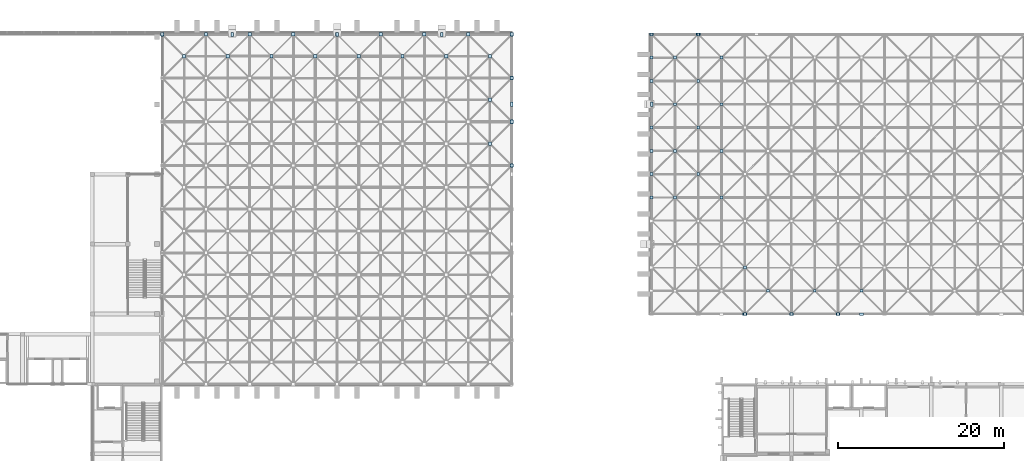
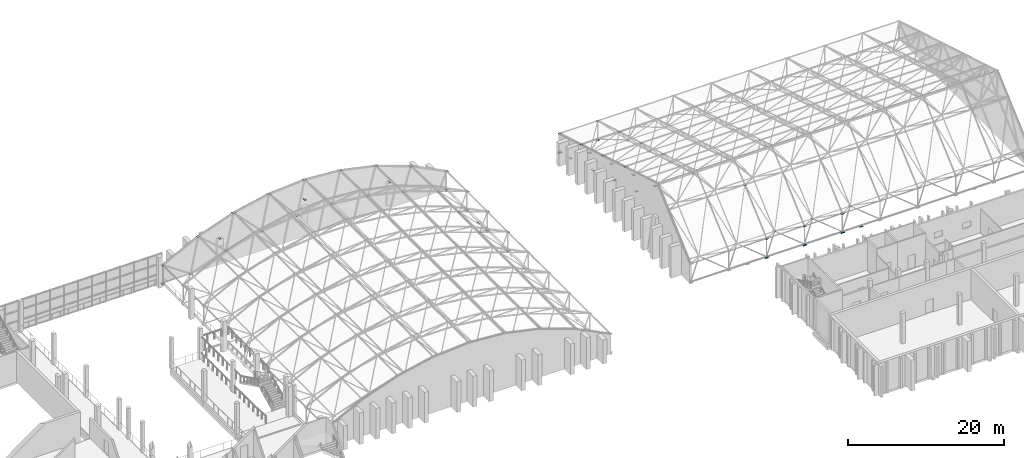
# One storey, part 58 of 100: 74 plates.
"""IFC4 building model written with IfcOpenShell, lengths in metres."""

from ifc_helpers import new_model, si_unit, direction, frame, origin, origin_2d, place, context, subcontext, project, spatial, rectangle, extrude, material, layer, layer_set, type_object, element, save


model = new_model("IFC4")

# Units and contexts
model_context = context("Model", 3, precision=1e-05, world=origin(), true_north=direction((0.0, 1.0)))
body_context = subcontext(model_context, "Body", "Model", "MODEL_VIEW")
ifc_project = project(units=[si_unit("LENGTHUNIT", "METRE"), si_unit("AREAUNIT", "SQUARE_METRE"), si_unit("VOLUMEUNIT", "CUBIC_METRE"), si_unit("PLANEANGLEUNIT", "RADIAN"), si_unit("MASSUNIT", "GRAM", prefix="KILO")], contexts=[model_context])

# Site, building, storey
site_placement = place(None, origin())
site = spatial("IfcSite", under=ifc_project, at=site_placement, CompositionType="ELEMENT")
building_placement = place(site_placement, origin())
building = spatial("IfcBuilding", under=site, at=building_placement, Name="Kiln Court Media Centre", CompositionType="ELEMENT")
storey_placement = place(building_placement, frame((0.0, 0.0, 15.0)))
storey = spatial("IfcBuildingStorey", under=building, at=storey_placement, Name="L03", CompositionType="ELEMENT", Elevation=15.0)

# Plates
ifc_material_1 = material(Name="Steel ASTM A572 Gr 50", Category="steel")
ifc_layer_1 = layer(ifc_material_1, 0.030029296875)
ifc_layer_set_1 = layer_set([ifc_layer_1], Name="Steel ASTM A572 Gr 50 300x500x30 bearing plate")
plate_type_1 = type_object("IfcPlateType", Name="Steel ASTM A572 Gr 50 300x500x30 bearing plate", PredefinedType="USERDEFINED", material=ifc_layer_set_1)
for number, where, z_axis, x_axis, name in (
    (1, (58.800048828125, 67.199951171875, -0.001953125), (0.0, 0.0, 1.0), (1.0, 0.0, 0.0), "V1 roof bearing plate at node 58.8 67.2 bearing plate"),
    (2, (100.800048828125, 51.449951171875, -0.001953125), (0.0, 0.0, 1.0), (1.0, 0.0, 0.0), "V1 roof bearing plate at node 100.8 51.5 bearing plate"),
    (3, (100.800048828125, 56.699951171875, -0.001953125), (0.0, 0.0, 1.0), (1.0, 0.0, 0.0), "V1 roof bearing plate at node 100.8 56.7 bearing plate"),
    (4, (100.800048828125, 61.949951171875, -0.001953125), (0.0, 0.0, 1.0), (1.0, 0.0, 0.0), "V1 roof bearing plate at node 100.8 62.0 bearing plate"),
    (5, (100.800048828125, 67.199951171875, -0.001953125), (0.0, 0.0, 1.0), (1.0, 0.0, 0.0), "V1 roof bearing plate at node 100.8 67.2 bearing plate"),
    (6, (100.800048828125, 58.800048828125, -0.001953125), (0.0, 0.0, 1.0), (1.0, 0.0, 0.0), "V1 roof bearing plate at RC-V1-4 bearing plate"),
    (7, (67.199951171875, 67.199951171875, 4.25146484375), (0.0, 0.0, 1.0), (1.0, 0.0, 0.0), "V1 roof bearing plate at RC-V1-5 bearing plate"),
    (8, (79.800048828125, 67.199951171875, 5.92431640625), (0.0, 0.0, 1.0), (1.0, 0.0, 0.0), "V1 roof bearing plate at RC-V1-6 bearing plate"),
    (9, (92.39990234375, 67.199951171875, 4.25146484375), (0.0, 0.0, 1.0), (1.0, 0.0, 0.0), "V1 roof bearing plate at RC-V1-7 bearing plate"),
    (10, (117.60009765625, 58.800048828125, 2.3681640625), (0.0, 0.0, 1.0), (1.0, 0.0, 0.0), "V2 roof bearing plate at RC-V2-7 bearing plate"),
):
    element("IfcPlate", number, at=place(storey_placement, frame(where, z_axis=z_axis, x_axis=x_axis)), inside=storey, type_object=plate_type_1, Name=name, ObjectType="BEARING PLATE", PredefinedType="USERDEFINED", context=body_context, shape_type="SweptSolid", body=[
        extrude(rectangle(XDim=0.300048828125, YDim=0.5, at=origin_2d()), origin(), (0.0, 0.0, 1.0), 0.030029296875),
    ])
ifc_material_2 = material(Name="Steel ASTM A572 Gr 50", Category="steel")
ifc_layer_2 = layer(ifc_material_2, 0.010009765625)
ifc_layer_set_2 = layer_set([ifc_layer_2], Name="Steel ASTM A572 Gr 50 350x350x10 connection plate V2")
plate_type_2 = type_object("IfcPlateType", Name="Steel ASTM A572 Gr 50 350x350x10 connection plate V2", PredefinedType="USERDEFINED", material=ifc_layer_set_2)
for number, where, z_axis, x_axis, name in (
    (11, (117.60009765625, 47.60009765625, 5.8232421875), (0.0, 0.0, 1.0), (1.0, 0.0, 0.0), "V2 node connection plate"),
    (12, (117.60009765625, 50.39990234375, 7.9951171875), (0.0, 0.0, 1.0), (1.0, 0.0, 0.0), "V2 node connection plate"),
    (13, (117.60009765625, 53.199951171875, 4.15625), (0.0, 0.0, 1.0), (1.0, 0.0, 0.0), "V2 node connection plate"),
    (14, (117.60009765625, 56.0, 6.328125), (0.0, 0.0, 1.0), (1.0, 0.0, 0.0), "V2 node connection plate"),
    (15, (117.60009765625, 61.60009765625, 4.66162109375), (0.0, 0.0, 1.0), (1.0, 0.0, 0.0), "V2 node connection plate"),
    (16, (117.60009765625, 64.39990234375, 0.8232421875), (0.0, 0.0, 1.0), (1.0, 0.0, 0.0), "V2 node connection plate"),
    (17, (117.60009765625, 67.199951171875, 0.15966796875), (0.0, 0.0, 1.0), (1.0, 0.0, 0.0), "V2 node connection plate"),
    (18, (117.60009765625, 67.199951171875, 2.9951171875), (0.0, 0.0, 1.0), (1.0, 0.0, 0.0), "V2 node connection plate"),
    (19, (120.39990234375, 47.60009765625, 5.6982421875), (0.0, 0.0, 1.0), (1.0, 0.0, 0.0), "V2 node connection plate"),
    (20, (120.39990234375, 53.199951171875, 4.03173828125), (0.0, 0.0, 1.0), (1.0, 0.0, 0.0), "V2 node connection plate"),
    (21, (120.39990234375, 58.800048828125, 2.365234375), (0.0, 0.0, 1.0), (1.0, 0.0, 0.0), "V2 node connection plate"),
    (22, (120.39990234375, 64.39990234375, 0.6982421875), (0.0, 0.0, 1.0), (1.0, 0.0, 0.0), "V2 node connection plate"),
    (23, (123.199951171875, 50.39990234375, 7.9951171875), (0.0, 0.0, 1.0), (1.0, 0.0, 0.0), "V2 node connection plate"),
    (24, (123.199951171875, 56.0, 6.328125), (0.0, 0.0, 1.0), (1.0, 0.0, 0.0), "V2 node connection plate"),
    (25, (123.199951171875, 61.60009765625, 4.66162109375), (0.0, 0.0, 1.0), (1.0, 0.0, 0.0), "V2 node connection plate"),
    (26, (123.199951171875, 67.199951171875, 0.15966796875), (0.0, 0.0, 1.0), (1.0, 0.0, 0.0), "V2 node connection plate"),
    (27, (123.199951171875, 67.199951171875, 2.9951171875), (0.0, 0.0, 1.0), (1.0, 0.0, 0.0), "V2 node connection plate"),
    (28, (126.0, 47.60009765625, 5.6982421875), (0.0, 0.0, 1.0), (1.0, 0.0, 0.0), "V2 node connection plate"),
    (29, (126.0, 53.199951171875, 4.03173828125), (0.0, 0.0, 1.0), (1.0, 0.0, 0.0), "V2 node connection plate"),
    (30, (126.0, 58.800048828125, 2.365234375), (0.0, 0.0, 1.0), (1.0, 0.0, 0.0), "V2 node connection plate"),
    (31, (126.0, 64.39990234375, 0.6982421875), (0.0, 0.0, 1.0), (1.0, 0.0, 0.0), "V2 node connection plate"),
    (32, (128.800048828125, 33.60009765625, 0.15966796875), (0.0, 0.0, 1.0), (1.0, 0.0, 0.0), "V2 node connection plate"),
    (33, (128.800048828125, 33.60009765625, 2.9951171875), (0.0, 0.0, 1.0), (1.0, 0.0, 0.0), "V2 node connection plate"),
    (34, (128.800048828125, 39.199951171875, 7.9951171875), (0.0, 0.0, 1.0), (1.0, 0.0, 0.0), "V2 node connection plate"),
    (35, (131.60009765625, 36.39990234375, 1.47314453125), (0.0, 0.0, 1.0), (1.0, 0.0, 0.0), "V2 node connection plate"),
    (36, (134.39990234375, 33.60009765625, 0.15966796875), (0.0, 0.0, 1.0), (1.0, 0.0, 0.0), "V2 node connection plate"),
    (37, (134.39990234375, 33.60009765625, 2.9951171875), (0.0, 0.0, 1.0), (1.0, 0.0, 0.0), "V2 node connection plate"),
    (38, (137.199951171875, 36.39990234375, 1.47314453125), (0.0, 0.0, 1.0), (1.0, 0.0, 0.0), "V2 node connection plate"),
    (39, (140.0, 33.60009765625, 0.15966796875), (0.0, 0.0, 1.0), (1.0, 0.0, 0.0), "V2 node connection plate"),
    (40, (140.0, 33.60009765625, 2.9951171875), (0.0, 0.0, 1.0), (1.0, 0.0, 0.0), "V2 node connection plate"),
    (41, (142.800048828125, 36.39990234375, 1.47314453125), (0.0, 0.0, 1.0), (1.0, 0.0, 0.0), "V2 node connection plate"),
):
    element("IfcPlate", number, at=place(storey_placement, frame(where, z_axis=z_axis, x_axis=x_axis)), inside=storey, type_object=plate_type_2, Name=name, ObjectType="CONNECTION PLATE", PredefinedType="USERDEFINED", context=body_context, shape_type="SweptSolid", body=[
        extrude(rectangle(XDim=0.35009765625, YDim=0.35009765625, at=origin_2d()), origin(), (0.0, 0.0, 1.0), 0.010009765625),
    ])
ifc_material_3 = material(Name="Steel ASTM A572 Gr 50", Category="steel")
ifc_layer_3 = layer(ifc_material_3, 0.011962890625)
ifc_layer_set_3 = layer_set([ifc_layer_3], Name="Steel ASTM A572 Gr 50 400x400x12 connection plate V1")
plate_type_3 = type_object("IfcPlateType", Name="Steel ASTM A572 Gr 50 400x400x12 connection plate V1", PredefinedType="USERDEFINED", material=ifc_layer_set_3)
for number, where, z_axis, x_axis, name in (
    (42, (58.800048828125, 67.199951171875, 0.18408203125), (0.0, 0.0, 1.0), (1.0, 0.0, 0.0), "V1 node connection plate"),
    (43, (58.800048828125, 67.199951171875, 2.994140625), (0.0, 0.0, 1.0), (1.0, 0.0, 0.0), "V1 node connection plate"),
    (44, (61.425048828125, 64.574951171875, 2.2919921875), (0.0, 0.0, 1.0), (1.0, 0.0, 0.0), "V1 node connection plate"),
    (45, (64.050048828125, 67.199951171875, 5.619140625), (0.0, 0.0, 1.0), (1.0, 0.0, 0.0), "V1 node connection plate"),
    (46, (66.675048828125, 64.574951171875, 4.12744140625), (0.0, 0.0, 1.0), (1.0, 0.0, 0.0), "V1 node connection plate"),
    (47, (69.300048828125, 67.199951171875, 7.494140625), (0.0, 0.0, 1.0), (1.0, 0.0, 0.0), "V1 node connection plate"),
    (48, (71.925048828125, 64.574951171875, 5.328125), (0.0, 0.0, 1.0), (1.0, 0.0, 0.0), "V1 node connection plate"),
    (49, (74.550048828125, 67.199951171875, 8.619140625), (0.0, 0.0, 1.0), (1.0, 0.0, 0.0), "V1 node connection plate"),
    (50, (77.175048828125, 64.574951171875, 5.92041015625), (0.0, 0.0, 1.0), (1.0, 0.0, 0.0), "V1 node connection plate"),
    (51, (79.800048828125, 67.199951171875, 8.994140625), (0.0, 0.0, 1.0), (1.0, 0.0, 0.0), "V1 node connection plate"),
    (52, (82.425048828125, 64.574951171875, 5.92041015625), (0.0, 0.0, 1.0), (1.0, 0.0, 0.0), "V1 node connection plate"),
    (53, (85.050048828125, 67.199951171875, 8.619140625), (0.0, 0.0, 1.0), (1.0, 0.0, 0.0), "V1 node connection plate"),
    (54, (87.675048828125, 64.574951171875, 5.328125), (0.0, 0.0, 1.0), (1.0, 0.0, 0.0), "V1 node connection plate"),
    (55, (90.300048828125, 67.199951171875, 7.494140625), (0.0, 0.0, 1.0), (1.0, 0.0, 0.0), "V1 node connection plate"),
    (56, (92.925048828125, 64.574951171875, 4.12744140625), (0.0, 0.0, 1.0), (1.0, 0.0, 0.0), "V1 node connection plate"),
    (57, (95.550048828125, 67.199951171875, 5.619140625), (0.0, 0.0, 1.0), (1.0, 0.0, 0.0), "V1 node connection plate"),
    (58, (98.175048828125, 54.074951171875, 2.2919921875), (0.0, 0.0, 1.0), (1.0, 0.0, 0.0), "V1 node connection plate"),
    (59, (98.175048828125, 59.324951171875, 2.2919921875), (0.0, 0.0, 1.0), (1.0, 0.0, 0.0), "V1 node connection plate"),
    (60, (98.175048828125, 64.574951171875, 2.2919921875), (0.0, 0.0, 1.0), (1.0, 0.0, 0.0), "V1 node connection plate"),
    (61, (100.800048828125, 51.449951171875, 0.18408203125), (0.0, 0.0, 1.0), (1.0, 0.0, 0.0), "V1 node connection plate"),
    (62, (100.800048828125, 51.449951171875, 2.994140625), (0.0, 0.0, 1.0), (1.0, 0.0, 0.0), "V1 node connection plate"),
    (63, (100.800048828125, 56.699951171875, 0.18408203125), (0.0, 0.0, 1.0), (1.0, 0.0, 0.0), "V1 node connection plate"),
    (64, (100.800048828125, 56.699951171875, 2.994140625), (0.0, 0.0, 1.0), (1.0, 0.0, 0.0), "V1 node connection plate"),
    (65, (100.800048828125, 61.949951171875, 0.18408203125), (0.0, 0.0, 1.0), (1.0, 0.0, 0.0), "V1 node connection plate"),
    (66, (100.800048828125, 61.949951171875, 2.994140625), (0.0, 0.0, 1.0), (1.0, 0.0, 0.0), "V1 node connection plate"),
    (67, (100.800048828125, 67.199951171875, 0.18408203125), (0.0, 0.0, 1.0), (1.0, 0.0, 0.0), "V1 node connection plate"),
    (68, (100.800048828125, 67.199951171875, 2.994140625), (0.0, 0.0, 1.0), (1.0, 0.0, 0.0), "V1 node connection plate"),
):
    element("IfcPlate", number, at=place(storey_placement, frame(where, z_axis=z_axis, x_axis=x_axis)), inside=storey, type_object=plate_type_3, Name=name, ObjectType="CONNECTION PLATE", PredefinedType="USERDEFINED", context=body_context, shape_type="SweptSolid", body=[
        extrude(rectangle(XDim=0.39990234375, YDim=0.39990234375, at=origin_2d()), origin(), (0.0, 0.0, 1.0), 0.011962890625),
    ])
ifc_material_4 = material(Name="Steel ASTM A572 Gr 50", Category="steel")
ifc_layer_4 = layer(ifc_material_4, 0.030029296875)
ifc_layer_set_4 = layer_set([ifc_layer_4], Name="Steel ASTM A572 Gr 50 500x300x30 bearing plate")
plate_type_4 = type_object("IfcPlateType", Name="Steel ASTM A572 Gr 50 500x300x30 bearing plate", PredefinedType="USERDEFINED", material=ifc_layer_set_4)
for number, where, z_axis, x_axis, name in (
    (69, (128.800048828125, 33.60009765625, -0.001953125), (0.0, 0.0, 1.0), (1.0, 0.0, 0.0), "V2 roof bearing plate at node 128.8 33.6 bearing plate"),
    (70, (134.39990234375, 33.60009765625, -0.001953125), (0.0, 0.0, 1.0), (1.0, 0.0, 0.0), "V2 roof bearing plate at node 134.4 33.6 bearing plate"),
    (71, (140.0, 33.60009765625, -0.001953125), (0.0, 0.0, 1.0), (1.0, 0.0, 0.0), "V2 roof bearing plate at node 140.0 33.6 bearing plate"),
    (72, (117.60009765625, 67.199951171875, -0.001953125), (0.0, 0.0, 1.0), (1.0, 0.0, 0.0), "V2 roof bearing plate at node 117.6 67.2 bearing plate"),
    (73, (123.199951171875, 67.199951171875, -0.001953125), (0.0, 0.0, 1.0), (1.0, 0.0, 0.0), "V2 roof bearing plate at node 123.2 67.2 bearing plate"),
    (74, (142.800048828125, 33.60009765625, -0.001953125), (0.0, 0.0, 1.0), (1.0, 0.0, 0.0), "V2 roof bearing plate at RC-V2-2 bearing plate"),
):
    element("IfcPlate", number, at=place(storey_placement, frame(where, z_axis=z_axis, x_axis=x_axis)), inside=storey, type_object=plate_type_4, Name=name, ObjectType="BEARING PLATE", PredefinedType="USERDEFINED", context=body_context, shape_type="SweptSolid", body=[
        extrude(rectangle(XDim=0.5, YDim=0.300048828125, at=origin_2d()), origin(), (0.0, 0.0, 1.0), 0.030029296875),
    ])

save(model, "model.ifc")
